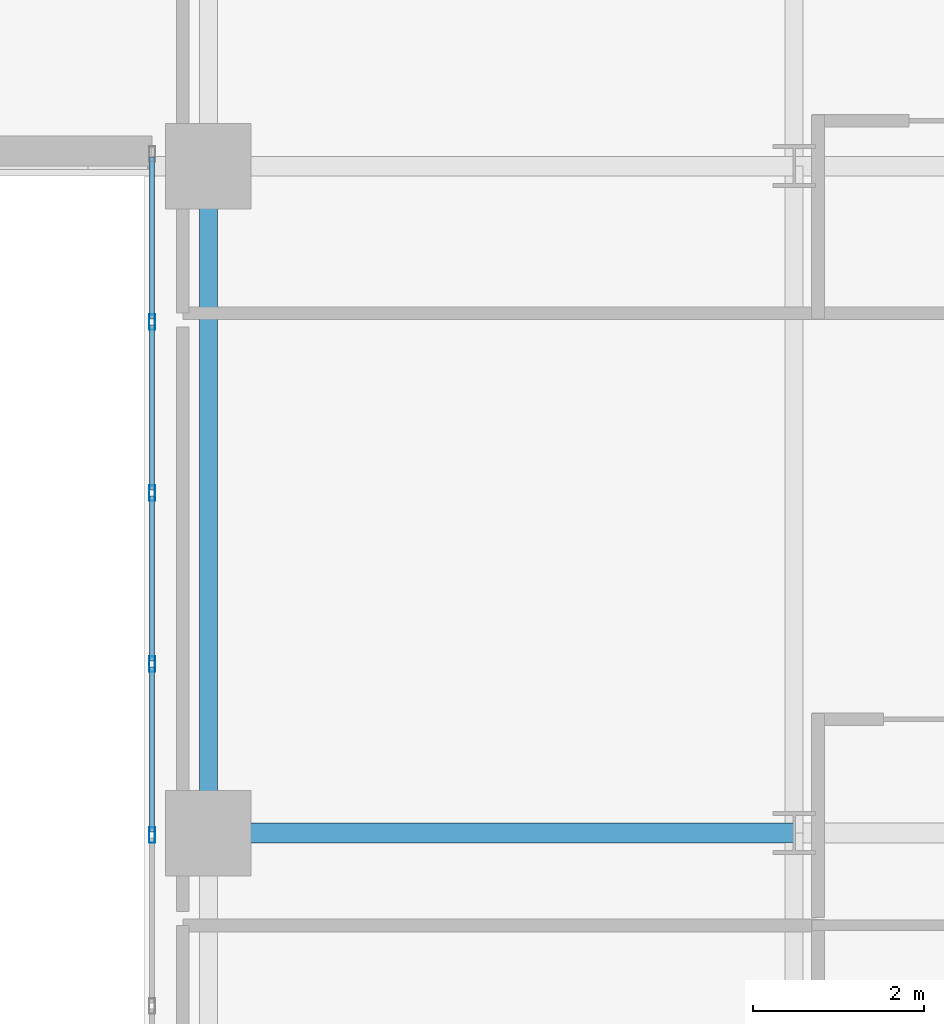
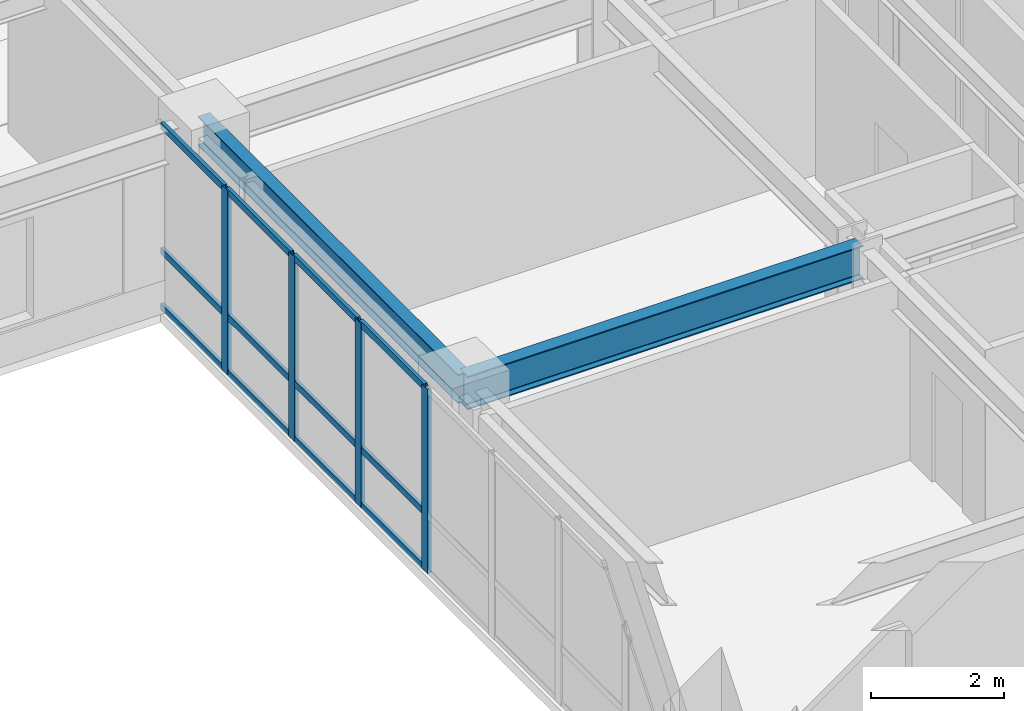
# One storey, part 9 of 25: 16 members, 2 beams, 1 element without a shape of its own.
"""IFC4 building model written with IfcOpenShell, lengths in metres."""

from ifc_helpers import new_model, si_unit, direction, frame, origin, origin_2d, place, context, subcontext, project, spatial, hollow_rectangle, i_section, extrude, source, transform, mapped, material, layer, layer_set, material_profile, profile_set, type_object, type_shapes, element, aggregate, save


model = new_model("IFC4")

# Units and contexts
model_context = context("Model", 3, precision=1e-05, world=origin(), true_north=direction((0.0, 1.0)))
body_context = subcontext(model_context, "Body", "Model", "MODEL_VIEW")
ifc_project = project(units=[si_unit("LENGTHUNIT", "METRE"), si_unit("AREAUNIT", "SQUARE_METRE"), si_unit("VOLUMEUNIT", "CUBIC_METRE"), si_unit("PLANEANGLEUNIT", "RADIAN"), si_unit("MASSUNIT", "GRAM", prefix="KILO")], contexts=[model_context])

# Site, building, storey
site_placement = place(None, origin())
site = spatial("IfcSite", under=ifc_project, at=site_placement, CompositionType="ELEMENT")
building_placement = place(site_placement, origin())
building = spatial("IfcBuilding", under=site, at=building_placement, Name="Tolvann Quenvar Hotel", CompositionType="ELEMENT")
storey_placement = place(building_placement, frame((0.0, 0.0, 39.10009765625)))
storey = spatial("IfcBuildingStorey", under=building, at=storey_placement, Name="L08", CompositionType="ELEMENT", Elevation=39.10009765625)

# Beams
ifc_material_1 = material(Name="Steel Grade 350", Category="steel")
ifc_material_profile_1 = material_profile(ifc_material_1, i_section(OverallWidth=0.22900390625, OverallDepth=0.612060546875, WebThickness=0.011962890625, FlangeThickness=0.01953125, FilletRadius=0.013916015625, at=origin_2d()), Name="610UB125")
ifc_profile_set_1 = profile_set([ifc_material_profile_1], Name="Steel Grade 350")
beam_type_1 = type_object("IfcBeamType", Name="BM_GIRD_610UB125", PredefinedType="BEAM", material=ifc_profile_set_1)
shared_shape_1 = source(origin(), body_context, "Body", "SweptSolid", [
    extrude(i_section(OverallWidth=0.22900390625, OverallDepth=0.612060546875, WebThickness=0.011962890625, FlangeThickness=0.01953125, FilletRadius=0.013916015625, at=origin_2d()), origin(), (0.0, 0.0, 1.0), 6.85009765625),
])
type_shapes(beam_type_1, [shared_shape_1])
beam_1_placement = place(storey_placement, frame((34.949951171875, 8.199951171875, 3.06396484375), z_axis=(1.0, 0.0, 0.0), x_axis=(0.0, 1.0, 0.0)))
element("IfcBeam", 1, at=beam_1_placement, inside=storey, type_object=beam_type_1, Name="BM-L08-EW-3-F3-H3", PredefinedType="BEAM", context=body_context, shape_type="MappedRepresentation", body=[
    mapped(shared_shape_1, transform((0.0, 0.0, 0.0), x_axis=(1.0, 0.0, 0.0), y_axis=(0.0, 1.0, 0.0), z_axis=(0.0, 0.0, 1.0), scale=1.0)),
])
ifc_material_profile_2 = material_profile(ifc_material_1, i_section(OverallWidth=0.208984375, OverallDepth=0.532958984375, WebThickness=0.01025390625, FlangeThickness=0.015625, FilletRadius=0.013916015625, at=origin_2d()), Name="530UB92")
ifc_profile_set_2 = profile_set([ifc_material_profile_2], Name="Steel Grade 350")
beam_type_2 = type_object("IfcBeamType", Name="BM_GIRD_530UB92", PredefinedType="BEAM", material=ifc_profile_set_2)
shared_shape_2 = source(origin(), body_context, "Body", "SweptSolid", [
    extrude(i_section(OverallWidth=0.208984375, OverallDepth=0.532958984375, WebThickness=0.01025390625, FlangeThickness=0.015625, FilletRadius=0.013916015625, at=origin_2d()), origin(), (0.0, 0.0, 1.0), 7.800048828125),
])
type_shapes(beam_type_2, [shared_shape_2])
beam_2_placement = place(storey_placement, frame((34.949951171875, 8.199951171875, 3.103515625), z_axis=(0.0, 1.0, 0.0), x_axis=(-1.0, 0.0, 0.0)))
element("IfcBeam", 2, at=beam_2_placement, inside=storey, type_object=beam_type_2, Name="BM-L08-NS-F3-F4", PredefinedType="BEAM", context=body_context, shape_type="MappedRepresentation", body=[
    mapped(shared_shape_2, transform((0.0, 0.0, 0.0), x_axis=(1.0, 0.0, 0.0), y_axis=(0.0, 1.0, 0.0), z_axis=(0.0, 0.0, 1.0), scale=1.0)),
])

# Curtain wall, members
ifc_material_2 = material(Name="Thermally broken anodised architectural aluminium 6063-T6 and laminated low-E glass", Category="aluminium")
ifc_layer = layer(ifc_material_2, 0.179931640625)
ifc_layer_set = layer_set([ifc_layer], Name="Thermally broken anodised architectural aluminium 6063-T6 and laminated low-E glass")
curtain_wall_type = type_object("IfcCurtainWallType", Name="CW_SYS_SLOT_03", PredefinedType="USERDEFINED", material=ifc_layer_set)
curtain_wall_placement = place(storey_placement, origin())
curtain_wall = element("IfcCurtainWall", 3, at=curtain_wall_placement, inside=storey, type_object=curtain_wall_type, Name="Curtain Wall CW-SLOT-03 (CWR-L08-E07)", ObjectType="UNITISED CURTAIN WALL", PredefinedType="USERDEFINED")
ifc_material_3 = material(Name="Anodised architectural aluminium 6063-T6 framing", Category="aluminium")
ifc_material_profile_3 = material_profile(ifc_material_3, hollow_rectangle(XDim=0.06005859375, YDim=0.1201171875, WallThickness=0.00341796875, at=origin_2d()), Name="120x60x3.5RHS")
ifc_profile_set_3 = profile_set([ifc_material_profile_3], Name="Anodised architectural aluminium 6063-T6 framing")
member_type_1 = type_object("IfcMemberType", Name="CW_TRAN_120x60", PredefinedType="USERDEFINED", material=ifc_profile_set_3)
shared_shape_3 = source(origin(), body_context, "Body", "SweptSolid", [
    extrude(hollow_rectangle(XDim=0.06005859375, YDim=0.1201171875, WallThickness=0.00341796875, at=origin_2d()), origin(), (0.0, 0.0, 1.0), 1.929931640625),
])
member_1_placement = place(storey_placement, frame((34.2900390625, 14.139892578125, 0.02978515625), z_axis=(0.0, -1.0, 0.0), x_axis=(1.0, 0.0, 0.0)))
member_1 = element("IfcMember", 4, at=member_1_placement, type_object=member_type_1, Name="CW-SLOT-03 transom 2.1", ObjectType="TRANSOM", PredefinedType="USERDEFINED", context=body_context, shape_type="MappedRepresentation", body=[
    mapped(shared_shape_3, transform((0.0, 0.0, 0.0), x_axis=(1.0, 0.0, 0.0), y_axis=(0.0, 1.0, 0.0), z_axis=(0.0, 0.0, 1.0), scale=1.0)),
])
member_2_placement = place(storey_placement, frame((34.2900390625, 14.139892578125, 1.0498046875), z_axis=(0.0, -1.0, 0.0), x_axis=(1.0, 0.0, 0.0)))
member_2 = element("IfcMember", 5, at=member_2_placement, type_object=member_type_1, Name="CW-SLOT-03 transom 2.2", ObjectType="TRANSOM", PredefinedType="USERDEFINED", context=body_context, shape_type="MappedRepresentation", body=[
    mapped(shared_shape_3, transform((0.0, 0.0, 0.0), x_axis=(1.0, 0.0, 0.0), y_axis=(0.0, 1.0, 0.0), z_axis=(0.0, 0.0, 1.0), scale=1.0)),
])
member_3_placement = place(storey_placement, frame((34.2900390625, 14.139892578125, 3.33984375), z_axis=(0.0, -1.0, 0.0), x_axis=(1.0, 0.0, 0.0)))
member_3 = element("IfcMember", 6, at=member_3_placement, type_object=member_type_1, Name="CW-SLOT-03 transom 2.3", ObjectType="TRANSOM", PredefinedType="USERDEFINED", context=body_context, shape_type="MappedRepresentation", body=[
    mapped(shared_shape_3, transform((0.0, 0.0, 0.0), x_axis=(1.0, 0.0, 0.0), y_axis=(0.0, 1.0, 0.0), z_axis=(0.0, 0.0, 1.0), scale=1.0)),
])
member_4_placement = place(storey_placement, frame((34.2900390625, 12.139892578125, 0.02978515625), z_axis=(0.0, -1.0, 0.0), x_axis=(1.0, 0.0, 0.0)))
member_4 = element("IfcMember", 7, at=member_4_placement, type_object=member_type_1, Name="CW-SLOT-03 transom 3.1", ObjectType="TRANSOM", PredefinedType="USERDEFINED", context=body_context, shape_type="MappedRepresentation", body=[
    mapped(shared_shape_3, transform((0.0, 0.0, 0.0), x_axis=(1.0, 0.0, 0.0), y_axis=(0.0, 1.0, 0.0), z_axis=(0.0, 0.0, 1.0), scale=1.0)),
])
member_5_placement = place(storey_placement, frame((34.2900390625, 12.139892578125, 1.0498046875), z_axis=(0.0, -1.0, 0.0), x_axis=(1.0, 0.0, 0.0)))
member_5 = element("IfcMember", 8, at=member_5_placement, type_object=member_type_1, Name="CW-SLOT-03 transom 3.2", ObjectType="TRANSOM", PredefinedType="USERDEFINED", context=body_context, shape_type="MappedRepresentation", body=[
    mapped(shared_shape_3, transform((0.0, 0.0, 0.0), x_axis=(1.0, 0.0, 0.0), y_axis=(0.0, 1.0, 0.0), z_axis=(0.0, 0.0, 1.0), scale=1.0)),
])
member_6_placement = place(storey_placement, frame((34.2900390625, 12.139892578125, 3.33984375), z_axis=(0.0, -1.0, 0.0), x_axis=(1.0, 0.0, 0.0)))
member_6 = element("IfcMember", 9, at=member_6_placement, type_object=member_type_1, Name="CW-SLOT-03 transom 3.3", ObjectType="TRANSOM", PredefinedType="USERDEFINED", context=body_context, shape_type="MappedRepresentation", body=[
    mapped(shared_shape_3, transform((0.0, 0.0, 0.0), x_axis=(1.0, 0.0, 0.0), y_axis=(0.0, 1.0, 0.0), z_axis=(0.0, 0.0, 1.0), scale=1.0)),
])
member_7_placement = place(storey_placement, frame((34.2900390625, 10.139892578125, 0.02978515625), z_axis=(0.0, -1.0, 0.0), x_axis=(1.0, 0.0, 0.0)))
member_7 = element("IfcMember", 10, at=member_7_placement, type_object=member_type_1, Name="CW-SLOT-03 transom 4.1", ObjectType="TRANSOM", PredefinedType="USERDEFINED", context=body_context, shape_type="MappedRepresentation", body=[
    mapped(shared_shape_3, transform((0.0, 0.0, 0.0), x_axis=(1.0, 0.0, 0.0), y_axis=(0.0, 1.0, 0.0), z_axis=(0.0, 0.0, 1.0), scale=1.0)),
])
member_8_placement = place(storey_placement, frame((34.2900390625, 10.139892578125, 1.0498046875), z_axis=(0.0, -1.0, 0.0), x_axis=(1.0, 0.0, 0.0)))
member_8 = element("IfcMember", 11, at=member_8_placement, type_object=member_type_1, Name="CW-SLOT-03 transom 4.2", ObjectType="TRANSOM", PredefinedType="USERDEFINED", context=body_context, shape_type="MappedRepresentation", body=[
    mapped(shared_shape_3, transform((0.0, 0.0, 0.0), x_axis=(1.0, 0.0, 0.0), y_axis=(0.0, 1.0, 0.0), z_axis=(0.0, 0.0, 1.0), scale=1.0)),
])
member_9_placement = place(storey_placement, frame((34.2900390625, 10.139892578125, 3.33984375), z_axis=(0.0, -1.0, 0.0), x_axis=(1.0, 0.0, 0.0)))
member_9 = element("IfcMember", 12, at=member_9_placement, type_object=member_type_1, Name="CW-SLOT-03 transom 4.3", ObjectType="TRANSOM", PredefinedType="USERDEFINED", context=body_context, shape_type="MappedRepresentation", body=[
    mapped(shared_shape_3, transform((0.0, 0.0, 0.0), x_axis=(1.0, 0.0, 0.0), y_axis=(0.0, 1.0, 0.0), z_axis=(0.0, 0.0, 1.0), scale=1.0)),
])
shared_shape_4 = source(origin(), body_context, "Body", "SweptSolid", [
    extrude(hollow_rectangle(XDim=0.06005859375, YDim=0.1201171875, WallThickness=0.00341796875, at=origin_2d()), origin(), (0.0, 0.0, 1.0), 1.89501953125),
])
type_shapes(member_type_1, [shared_shape_3, shared_shape_4])
member_10_placement = place(storey_placement, frame((34.2900390625, 16.10498046875, 0.02978515625), z_axis=(0.0, -1.0, 0.0), x_axis=(1.0, 0.0, 0.0)))
member_10 = element("IfcMember", 13, at=member_10_placement, type_object=member_type_1, Name="CW-SLOT-03 transom 1.1", ObjectType="TRANSOM", PredefinedType="USERDEFINED", context=body_context, shape_type="MappedRepresentation", body=[
    mapped(shared_shape_4, transform((0.0, 0.0, 0.0), x_axis=(1.0, 0.0, 0.0), y_axis=(0.0, 1.0, 0.0), z_axis=(0.0, 0.0, 1.0), scale=1.0)),
])
member_11_placement = place(storey_placement, frame((34.2900390625, 16.10498046875, 1.0498046875), z_axis=(0.0, -1.0, 0.0), x_axis=(1.0, 0.0, 0.0)))
member_11 = element("IfcMember", 14, at=member_11_placement, type_object=member_type_1, Name="CW-SLOT-03 transom 1.2", ObjectType="TRANSOM", PredefinedType="USERDEFINED", context=body_context, shape_type="MappedRepresentation", body=[
    mapped(shared_shape_4, transform((0.0, 0.0, 0.0), x_axis=(1.0, 0.0, 0.0), y_axis=(0.0, 1.0, 0.0), z_axis=(0.0, 0.0, 1.0), scale=1.0)),
])
member_12_placement = place(storey_placement, frame((34.2900390625, 16.10498046875, 3.33984375), z_axis=(0.0, -1.0, 0.0), x_axis=(1.0, 0.0, 0.0)))
member_12 = element("IfcMember", 15, at=member_12_placement, type_object=member_type_1, Name="CW-SLOT-03 transom 1.3", ObjectType="TRANSOM", PredefinedType="USERDEFINED", context=body_context, shape_type="MappedRepresentation", body=[
    mapped(shared_shape_4, transform((0.0, 0.0, 0.0), x_axis=(1.0, 0.0, 0.0), y_axis=(0.0, 1.0, 0.0), z_axis=(0.0, 0.0, 1.0), scale=1.0)),
])
ifc_material_profile_4 = material_profile(ifc_material_3, hollow_rectangle(XDim=0.070068359375, YDim=0.179931640625, WallThickness=0.00390625, at=origin_2d()), Name="180x70x4RHS")
ifc_profile_set_4 = profile_set([ifc_material_profile_4], Name="Anodised architectural aluminium 6063-T6 framing")
member_type_2 = type_object("IfcMemberType", Name="CW_MULL_180x70", PredefinedType="MULLION", material=ifc_profile_set_4)
shared_shape_5 = source(origin(), body_context, "Body", "SweptSolid", [
    extrude(hollow_rectangle(XDim=0.070068359375, YDim=0.179931640625, WallThickness=0.00390625, at=origin_2d()), origin(), (0.0, 0.0, 1.0), 3.369873046875),
])
type_shapes(member_type_2, [shared_shape_5])
member_13_placement = place(storey_placement, frame((34.2900390625, 14.175048828125, 0.0), z_axis=(0.0, 0.0, 1.0), x_axis=(1.0, 0.0, 0.0)))
member_13 = element("IfcMember", 16, at=member_13_placement, type_object=member_type_2, Name="CW-SLOT-03 mullion 2", PredefinedType="MULLION", context=body_context, shape_type="MappedRepresentation", body=[
    mapped(shared_shape_5, transform((0.0, 0.0, 0.0), x_axis=(1.0, 0.0, 0.0), y_axis=(0.0, 1.0, 0.0), z_axis=(0.0, 0.0, 1.0), scale=1.0)),
])
member_14_placement = place(storey_placement, frame((34.2900390625, 12.175048828125, 0.0), z_axis=(0.0, 0.0, 1.0), x_axis=(1.0, 0.0, 0.0)))
member_14 = element("IfcMember", 17, at=member_14_placement, type_object=member_type_2, Name="CW-SLOT-03 mullion 3", PredefinedType="MULLION", context=body_context, shape_type="MappedRepresentation", body=[
    mapped(shared_shape_5, transform((0.0, 0.0, 0.0), x_axis=(1.0, 0.0, 0.0), y_axis=(0.0, 1.0, 0.0), z_axis=(0.0, 0.0, 1.0), scale=1.0)),
])
member_15_placement = place(storey_placement, frame((34.2900390625, 10.175048828125, 0.0), z_axis=(0.0, 0.0, 1.0), x_axis=(1.0, 0.0, 0.0)))
member_15 = element("IfcMember", 18, at=member_15_placement, type_object=member_type_2, Name="CW-SLOT-03 mullion 4", PredefinedType="MULLION", context=body_context, shape_type="MappedRepresentation", body=[
    mapped(shared_shape_5, transform((0.0, 0.0, 0.0), x_axis=(1.0, 0.0, 0.0), y_axis=(0.0, 1.0, 0.0), z_axis=(0.0, 0.0, 1.0), scale=1.0)),
])
member_16_placement = place(storey_placement, frame((34.2900390625, 8.175048828125, 0.0), z_axis=(0.0, 0.0, 1.0), x_axis=(1.0, 0.0, 0.0)))
member_16 = element("IfcMember", 19, at=member_16_placement, type_object=member_type_2, Name="CW-SLOT-03 mullion 5", PredefinedType="MULLION", context=body_context, shape_type="MappedRepresentation", body=[
    mapped(shared_shape_5, transform((0.0, 0.0, 0.0), x_axis=(1.0, 0.0, 0.0), y_axis=(0.0, 1.0, 0.0), z_axis=(0.0, 0.0, 1.0), scale=1.0)),
])
aggregate(curtain_wall, [member_13, member_14, member_15, member_16, member_10, member_11, member_12, member_1, member_2, member_3, member_4, member_5, member_6, member_7, member_8, member_9])

save(model, "model.ifc")
